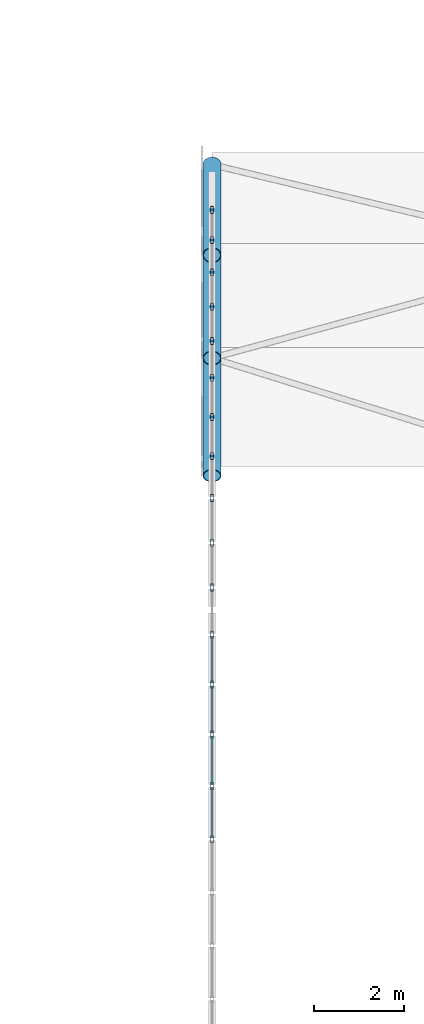
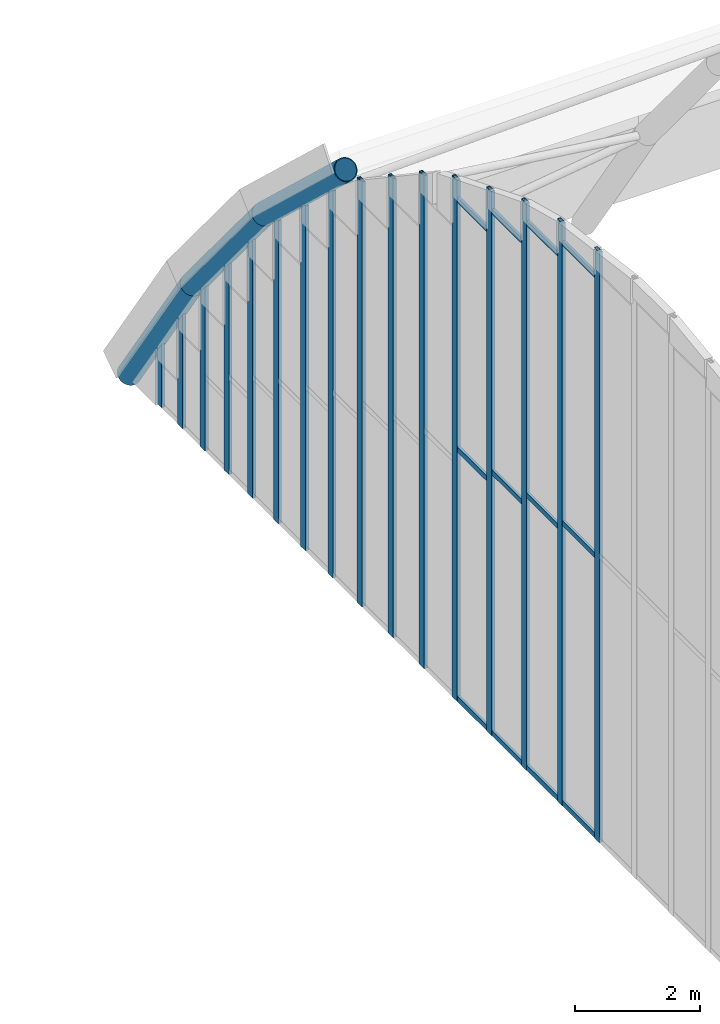
# One storey, part 18 of 77: 31 members, 1 element without a shape of its own.
"""IFC4 building model written with IfcOpenShell, lengths in metres."""

import ifcopenshell
import ifcopenshell.guid

model = None  # the IFC model being written
_history = None  # IfcOwnerHistory: only IFC2X3 demands one
_inside = {}  # id of a spatial element -> (the spatial element, [elements in it])
_under = {}  # id of a project, library or spatial element -> (it, [spatial elements below it])
_declared = {}  # id of a project -> (the project, [libraries it declares])
_typed = {}  # id of a type object -> (the type object, [elements of that type])
_made_of = {}  # id of a material, layer set ... -> (it, [elements and type objects made of it])


def new_model(schema):
    """Start an empty IFC model of exactly this schema.

    Asked for "IFC4X3", IfcOpenShell would pick the latest addendum, in which some entities
    have other attributes; the version numbers below select the first issue.
    IFC2X3 requires an IfcOwnerHistory on every rooted entity: one is made here for all.
    """
    global model, _history
    if schema == "IFC4X3":
        model = ifcopenshell.file(schema_version=(4, 3, 0, 0))
    else:
        model = ifcopenshell.file(schema=schema)
    _inside.clear()
    _under.clear()
    _declared.clear()
    _typed.clear()
    _made_of.clear()
    _history = None
    if model.schema == "IFC2X3":
        org = make("IfcOrganization", Name="unknown")
        user = make(
            "IfcPersonAndOrganization",
            ThePerson=make("IfcPerson", FamilyName="unknown"),
            TheOrganization=org,
        )
        app = make(
            "IfcApplication",
            ApplicationDeveloper=org,
            Version="unknown",
            ApplicationFullName="unknown",
            ApplicationIdentifier="unknown",
        )
        _history = make(
            "IfcOwnerHistory",
            OwningUser=user,
            OwningApplication=app,
            ChangeAction="ADDED",
            CreationDate=0,
        )
    return model


def make(cls, **values):
    """One entity of the class cls with the attributes given. An attribute that is None is left unset."""
    return model.create_entity(
        cls, **{name: value for name, value in values.items() if value is not None}
    )


def rooted(cls, **values):
    """An entity with a GlobalId (a new one), such as an element, a storey or a relation."""
    return make(cls, GlobalId=ifcopenshell.guid.new(), OwnerHistory=_history, **values)


def si_unit(unit_type, name, prefix=None):
    """IfcSIUnit, for example si_unit("LENGTHUNIT", "METRE", prefix="MILLI")."""
    return make("IfcSIUnit", UnitType=unit_type, Prefix=prefix, Name=name)


def assignment(units):
    """IfcUnitAssignment: the units of a project."""
    return None if units is None else make("IfcUnitAssignment", Units=units)


def point(xyz):
    """IfcCartesianPoint."""
    return None if xyz is None else make("IfcCartesianPoint", Coordinates=xyz)


def direction(xyz):
    """IfcDirection."""
    return None if xyz is None else make("IfcDirection", DirectionRatios=xyz)


def frame(location, z_axis=None, x_axis=None):
    """IfcAxis2Placement3D, a coordinate frame: its origin and axes. An axis left out is left unset."""
    return make(
        "IfcAxis2Placement3D",
        Location=point(location),
        Axis=direction(z_axis),
        RefDirection=direction(x_axis),
    )


def frame_2d(location, x_axis=None):
    """IfcAxis2Placement2D, a coordinate frame in the plane: its origin and x axis."""
    return make(
        "IfcAxis2Placement2D", Location=point(location), RefDirection=direction(x_axis)
    )


def origin():
    """The frame at (0, 0, 0) with its axes left unset."""
    return frame((0.0, 0.0, 0.0))


def origin_2d():
    """The frame at (0, 0) in the plane with its x axis left unset."""
    return frame_2d((0.0, 0.0))


def place(relative_to, where):
    """IfcLocalPlacement: puts the frame where relative to a parent placement (None: the world)."""
    return make(
        "IfcLocalPlacement", PlacementRelTo=relative_to, RelativePlacement=where
    )


def context(
    kind, dimensions, precision=None, world=None, true_north=None, identifier=None
):
    """IfcGeometricRepresentationContext, for example the 3D "Model" context."""
    return make(
        "IfcGeometricRepresentationContext",
        ContextIdentifier=identifier,
        ContextType=kind,
        CoordinateSpaceDimension=dimensions,
        Precision=precision,
        WorldCoordinateSystem=world,
        TrueNorth=true_north,
    )


def subcontext(parent, identifier, kind, view, scale=None):
    """IfcGeometricRepresentationSubContext, for example "Body" below "Model"."""
    return make(
        "IfcGeometricRepresentationSubContext",
        ContextIdentifier=identifier,
        ContextType=kind,
        ParentContext=parent,
        TargetScale=scale,
        TargetView=view,
    )


def project(units=None, contexts=None):
    """IfcProject with its units and contexts."""
    return rooted(
        "IfcProject",
        Name="project",
        RepresentationContexts=contexts,
        UnitsInContext=assignment(units),
    )


def spatial(cls, under=None, at=None, **own):
    """A site, building, storey or space (cls), placed at a placement, below another one or the project."""
    s = rooted(cls, ObjectPlacement=at, **own)
    if under is not None:
        _under.setdefault(under.id(), (under, []))[1].append(s)
    return s


def profile(cls, at=None, kind="AREA", **sizes):
    """A parametric profile (cls). Its sizes go by their IFC names, for example OverallWidth=200.0."""
    return make(cls, ProfileType=kind, Position=at, **sizes)


def hollow_rectangle(**sizes):
    """IfcRectangleHollowProfileDef."""
    return profile("IfcRectangleHollowProfileDef", **sizes)


def hollow_circle(**sizes):
    """IfcCircleHollowProfileDef."""
    return profile("IfcCircleHollowProfileDef", **sizes)


def extrude(swept, where, along, depth):
    """IfcExtrudedAreaSolid: the profile swept, set in the frame where, extruded along a direction by depth."""
    return make(
        "IfcExtrudedAreaSolid",
        SweptArea=swept,
        Position=where,
        ExtrudedDirection=direction(along),
        Depth=depth,
    )


def shape(context_of_items, identifier, shape_type, items):
    """IfcShapeRepresentation: the items that make up one representation, for example the "Body"."""
    return make(
        "IfcShapeRepresentation",
        ContextOfItems=context_of_items,
        RepresentationIdentifier=identifier,
        RepresentationType=shape_type,
        Items=items,
    )


def material(Name=None, Category=None):
    """IfcMaterial."""
    return make("IfcMaterial", Name=Name, Category=Category)


def material_profile(
    of_material, cross_section, Name=None, Category=None, Priority=None
):
    """IfcMaterialProfile: a cross section and its material."""
    return make(
        "IfcMaterialProfile",
        Name=Name,
        Material=of_material,
        Profile=cross_section,
        Priority=Priority,
        Category=Category,
    )


def profile_set(profiles, Name=None, composite=None):
    """IfcMaterialProfileSet."""
    return make(
        "IfcMaterialProfileSet",
        Name=Name,
        MaterialProfiles=profiles,
        CompositeProfile=composite,
    )


def made_of(thing, what):
    """Note that an element or type object is made of a material, layer set ...; save() writes the relation."""
    if what is not None:
        _made_of.setdefault(what.id(), (what, []))[1].append(thing)
    return thing


def type_object(cls, material=None, **own):
    """A type object (cls), such as IfcWallType, which elements share."""
    return made_of(rooted(cls, **own), material)


def element(
    cls,
    number,
    at=None,
    inside=None,
    cuts=None,
    type_object=None,
    material=None,
    context=None,
    identifier="Body",
    shape_type=None,
    held_by="IfcProductDefinitionShape",
    body=None,
    shapes=None,
    **own,
):
    """One element of the class cls, such as IfcWall. Its Tag is "e" and its number.

    at: its placement. inside: the storey or other place that contains it. cuts: it is an
    opening in that element (IfcRelVoidsElement). A single representation is given by context,
    identifier, shape_type and body (its items); several are given by shapes. held_by: the class
    of the entity that holds the representations. save() writes the other relations.
    """
    e = rooted(cls, Tag="e%d" % number, ObjectPlacement=at, **own)
    if body is not None:
        shapes = [shape(context, identifier, shape_type, body)]
    if shapes is not None:
        e.Representation = make(held_by, Representations=shapes)
    if inside is not None:
        _inside.setdefault(inside.id(), (inside, []))[1].append(e)
    if cuts is not None:
        rooted(
            "IfcRelVoidsElement", RelatingBuildingElement=cuts, RelatedOpeningElement=e
        )
    if type_object is not None:
        _typed.setdefault(type_object.id(), (type_object, []))[1].append(e)
    return made_of(e, material)


def aggregate(whole, parts):
    """IfcRelAggregates: a whole, such as a stair, and the parts it consists of."""
    return rooted("IfcRelAggregates", RelatingObject=whole, RelatedObjects=parts)


def save(model, path):
    """Write the relations noted so far, then the file.

    IfcRelAggregates (storeys below a building ...), IfcRelContainedInSpatialStructure (elements
    in a storey), IfcRelDefinesByType, IfcRelAssociatesMaterial and IfcRelDeclares: one each for
    every whole, place, type object, material and project.
    """
    for whole, parts in _under.values():
        aggregate(whole, parts)
    for where, things in _inside.values():
        rooted(
            "IfcRelContainedInSpatialStructure",
            RelatedElements=things,
            RelatingStructure=where,
        )
    for kind, things in _typed.values():
        rooted("IfcRelDefinesByType", RelatedObjects=things, RelatingType=kind)
    for what, things in _made_of.values():
        rooted("IfcRelAssociatesMaterial", RelatedObjects=things, RelatingMaterial=what)
    for by, libraries in _declared.values():
        rooted("IfcRelDeclares", RelatingContext=by, RelatedDefinitions=libraries)
    model.write(path)


model = new_model("IFC4")

# Units and contexts
model_context = context("Model", 3, precision=1e-05, world=origin(), true_north=direction((0.0, 1.0)))
body_context = subcontext(model_context, "Body", "Model", "MODEL_VIEW")
ifc_project = project(units=[si_unit("LENGTHUNIT", "METRE"), si_unit("AREAUNIT", "SQUARE_METRE"), si_unit("VOLUMEUNIT", "CUBIC_METRE"), si_unit("PLANEANGLEUNIT", "RADIAN"), si_unit("MASSUNIT", "GRAM", prefix="KILO")], contexts=[model_context])

# Site, building, storey
site_placement = place(None, origin())
site = spatial("IfcSite", under=ifc_project, at=site_placement, CompositionType="ELEMENT")
building_placement = place(site_placement, origin())
building = spatial("IfcBuilding", under=site, at=building_placement, Name="Catenary Quay Ferry Terminal", CompositionType="ELEMENT")
storey_placement = place(building_placement, frame((0.0, 0.0, 10.800048828125)))
storey = spatial("IfcBuildingStorey", under=building, at=storey_placement, Name="L02", CompositionType="ELEMENT", Elevation=10.800048828125)

# Curtain wall, members
ifc_material_1 = material(Name="Aluminium and glass", Category="aluminium")
curtain_wall_type = type_object("IfcCurtainWallType", Name="CWA", PredefinedType="NOTDEFINED", material=ifc_material_1)
curtain_wall_placement = place(storey_placement, origin())
curtain_wall = element("IfcCurtainWall", 1, at=curtain_wall_placement, inside=storey, type_object=curtain_wall_type, Name="Arch departure hall curtain wall CW17", PredefinedType="NOTDEFINED")
ifc_material_2 = material(Name="Aluminium", Category="aluminium")
ifc_material_profile_1 = material_profile(ifc_material_2, hollow_rectangle(XDim=0.06005859375, YDim=0.159912109375, WallThickness=0.006103515625, at=origin_2d()), Name="MU5")
ifc_profile_set_1 = profile_set([ifc_material_profile_1], Name="Aluminium")
member_type_1 = type_object("IfcMemberType", Name="MU5", PredefinedType="MULLION", material=ifc_profile_set_1)
member_1_placement = place(storey_placement, frame((25.199951171875, 127.779541015625, 0.0), z_axis=(0.0, 0.0, 1.0), x_axis=(-1.0, 0.0, 0.0)))
member_1 = element("IfcMember", 2, at=member_1_placement, type_object=member_type_1, Name="CW17 mullion 19", PredefinedType="MULLION", context=body_context, shape_type="SweptSolid", body=[
    extrude(hollow_rectangle(XDim=0.06005859375, YDim=0.159912109375, WallThickness=0.006103515625, at=origin_2d()), origin(), (0.0, 0.0, 1.0), 11.5419921875),
])
member_2_placement = place(storey_placement, frame((25.199951171875, 128.9658203125, 0.0), z_axis=(0.0, 0.0, 1.0), x_axis=(-1.0, 0.0, 0.0)))
member_2 = element("IfcMember", 3, at=member_2_placement, type_object=member_type_1, Name="CW17 mullion 20", PredefinedType="MULLION", context=body_context, shape_type="SweptSolid", body=[
    extrude(hollow_rectangle(XDim=0.06005859375, YDim=0.159912109375, WallThickness=0.006103515625, at=origin_2d()), origin(), (0.0, 0.0, 1.0), 11.38330078125),
])
member_3_placement = place(storey_placement, frame((25.199951171875, 130.1142578125, 0.0), z_axis=(0.0, 0.0, 1.0), x_axis=(-1.0, 0.0, 0.0)))
member_3 = element("IfcMember", 4, at=member_3_placement, type_object=member_type_1, Name="CW17 mullion 21", PredefinedType="MULLION", context=body_context, shape_type="SweptSolid", body=[
    extrude(hollow_rectangle(XDim=0.06005859375, YDim=0.159912109375, WallThickness=0.006103515625, at=origin_2d()), origin(), (0.0, 0.0, 1.0), 11.0810546875),
])
member_4_placement = place(storey_placement, frame((25.199951171875, 131.224609375, 0.0), z_axis=(0.0, 0.0, 1.0), x_axis=(-1.0, 0.0, 0.0)))
member_4 = element("IfcMember", 5, at=member_4_placement, type_object=member_type_1, Name="CW17 mullion 22", PredefinedType="MULLION", context=body_context, shape_type="SweptSolid", body=[
    extrude(hollow_rectangle(XDim=0.06005859375, YDim=0.159912109375, WallThickness=0.006103515625, at=origin_2d()), origin(), (0.0, 0.0, 1.0), 10.635498046875),
])
member_5_placement = place(storey_placement, frame((25.199951171875, 132.334716796875, 0.0), z_axis=(0.0, 0.0, 1.0), x_axis=(-1.0, 0.0, 0.0)))
member_5 = element("IfcMember", 6, at=member_5_placement, type_object=member_type_1, Name="CW17 mullion 23", PredefinedType="MULLION", context=body_context, shape_type="SweptSolid", body=[
    extrude(hollow_rectangle(XDim=0.06005859375, YDim=0.159912109375, WallThickness=0.006103515625, at=origin_2d()), origin(), (0.0, 0.0, 1.0), 10.189697265625),
])
member_6_placement = place(storey_placement, frame((25.199951171875, 133.387451171875, 0.0), z_axis=(0.0, 0.0, 1.0), x_axis=(-1.0, 0.0, 0.0)))
member_6 = element("IfcMember", 7, at=member_6_placement, type_object=member_type_1, Name="CW17 mullion 24", PredefinedType="MULLION", context=body_context, shape_type="SweptSolid", body=[
    extrude(hollow_rectangle(XDim=0.06005859375, YDim=0.159912109375, WallThickness=0.006103515625, at=origin_2d()), origin(), (0.0, 0.0, 1.0), 9.634033203125),
])
member_7_placement = place(storey_placement, frame((25.199951171875, 134.382080078125, 0.0), z_axis=(0.0, 0.0, 1.0), x_axis=(-1.0, 0.0, 0.0)))
member_7 = element("IfcMember", 8, at=member_7_placement, type_object=member_type_1, Name="CW17 mullion 25", PredefinedType="MULLION", context=body_context, shape_type="SweptSolid", body=[
    extrude(hollow_rectangle(XDim=0.06005859375, YDim=0.159912109375, WallThickness=0.006103515625, at=origin_2d()), origin(), (0.0, 0.0, 1.0), 8.968505859375),
])
member_8_placement = place(storey_placement, frame((25.199951171875, 135.376708984375, 0.0), z_axis=(0.0, 0.0, 1.0), x_axis=(-1.0, 0.0, 0.0)))
member_8 = element("IfcMember", 9, at=member_8_placement, type_object=member_type_1, Name="CW17 mullion 26", PredefinedType="MULLION", context=body_context, shape_type="SweptSolid", body=[
    extrude(hollow_rectangle(XDim=0.06005859375, YDim=0.159912109375, WallThickness=0.006103515625, at=origin_2d()), origin(), (0.0, 0.0, 1.0), 8.302734375),
])
member_9_placement = place(storey_placement, frame((25.199951171875, 136.310546875, 0.0), z_axis=(0.0, 0.0, 1.0), x_axis=(-1.0, 0.0, 0.0)))
member_9 = element("IfcMember", 10, at=member_9_placement, type_object=member_type_1, Name="CW17 mullion 27", PredefinedType="MULLION", context=body_context, shape_type="SweptSolid", body=[
    extrude(hollow_rectangle(XDim=0.06005859375, YDim=0.159912109375, WallThickness=0.006103515625, at=origin_2d()), origin(), (0.0, 0.0, 1.0), 7.560791015625),
])
member_10_placement = place(storey_placement, frame((25.199951171875, 137.18359375, 0.0), z_axis=(0.0, 0.0, 1.0), x_axis=(-1.0, 0.0, 0.0)))
member_10 = element("IfcMember", 11, at=member_10_placement, type_object=member_type_1, Name="CW17 mullion 28", PredefinedType="MULLION", context=body_context, shape_type="SweptSolid", body=[
    extrude(hollow_rectangle(XDim=0.06005859375, YDim=0.159912109375, WallThickness=0.006103515625, at=origin_2d()), origin(), (0.0, 0.0, 1.0), 6.742431640625),
])
member_11_placement = place(storey_placement, frame((25.199951171875, 138.056396484375, 0.0), z_axis=(0.0, 0.0, 1.0), x_axis=(-1.0, 0.0, 0.0)))
member_11 = element("IfcMember", 12, at=member_11_placement, type_object=member_type_1, Name="CW17 mullion 29", PredefinedType="MULLION", context=body_context, shape_type="SweptSolid", body=[
    extrude(hollow_rectangle(XDim=0.06005859375, YDim=0.159912109375, WallThickness=0.006103515625, at=origin_2d()), origin(), (0.0, 0.0, 1.0), 5.924072265625),
])
member_12_placement = place(storey_placement, frame((25.199951171875, 138.875, 0.0), z_axis=(0.0, 0.0, 1.0), x_axis=(-1.0, 0.0, 0.0)))
member_12 = element("IfcMember", 13, at=member_12_placement, type_object=member_type_1, Name="CW17 mullion 30", PredefinedType="MULLION", context=body_context, shape_type="SweptSolid", body=[
    extrude(hollow_rectangle(XDim=0.06005859375, YDim=0.159912109375, WallThickness=0.006103515625, at=origin_2d()), origin(), (0.0, 0.0, 1.0), 5.05419921875),
])
member_13_placement = place(storey_placement, frame((25.199951171875, 139.638916015625, 0.0), z_axis=(0.0, 0.0, 1.0), x_axis=(-1.0, 0.0, 0.0)))
member_13 = element("IfcMember", 14, at=member_13_placement, type_object=member_type_1, Name="CW17 mullion 31", PredefinedType="MULLION", context=body_context, shape_type="SweptSolid", body=[
    extrude(hollow_rectangle(XDim=0.06005859375, YDim=0.159912109375, WallThickness=0.006103515625, at=origin_2d()), origin(), (0.0, 0.0, 1.0), 4.133056640625),
])
member_14_placement = place(storey_placement, frame((25.199951171875, 140.403076171875, 0.0), z_axis=(0.0, 0.0, 1.0), x_axis=(-1.0, 0.0, 0.0)))
member_14 = element("IfcMember", 15, at=member_14_placement, type_object=member_type_1, Name="CW17 mullion 32", PredefinedType="MULLION", context=body_context, shape_type="SweptSolid", body=[
    extrude(hollow_rectangle(XDim=0.06005859375, YDim=0.159912109375, WallThickness=0.006103515625, at=origin_2d()), origin(), (0.0, 0.0, 1.0), 3.211669921875),
])
member_15_placement = place(storey_placement, frame((25.199951171875, 141.120849609375, 0.0), z_axis=(0.0, 0.0, 1.0), x_axis=(-1.0, 0.0, 0.0)))
member_15 = element("IfcMember", 16, at=member_15_placement, type_object=member_type_1, Name="CW17 mullion 33", PredefinedType="MULLION", context=body_context, shape_type="SweptSolid", body=[
    extrude(hollow_rectangle(XDim=0.06005859375, YDim=0.159912109375, WallThickness=0.006103515625, at=origin_2d()), origin(), (0.0, 0.0, 1.0), 2.255859375),
])
member_16_placement = place(storey_placement, frame((25.199951171875, 141.79248046875, 0.0), z_axis=(0.0, 0.0, 1.0), x_axis=(-1.0, 0.0, 0.0)))
member_16 = element("IfcMember", 17, at=member_16_placement, type_object=member_type_1, Name="CW17 mullion 34", PredefinedType="MULLION", context=body_context, shape_type="SweptSolid", body=[
    extrude(hollow_rectangle(XDim=0.06005859375, YDim=0.159912109375, WallThickness=0.006103515625, at=origin_2d()), origin(), (0.0, 0.0, 1.0), 1.265380859375),
])
ifc_material_3 = material(Name="Aluminium", Category="aluminium")
ifc_material_profile_2 = material_profile(ifc_material_3, hollow_rectangle(XDim=0.050048828125, YDim=0.10009765625, WallThickness=0.00390625, at=origin_2d()), Name="TR4")
ifc_profile_set_2 = profile_set([ifc_material_profile_2], Name="Aluminium")
member_type_2 = type_object("IfcMemberType", Name="TR4", PredefinedType="USERDEFINED", material=ifc_profile_set_2)
member_17_placement = place(storey_placement, frame((25.199951171875, 127.8095703125, 0.050048828125), z_axis=(0.0, 1.0, 0.0), x_axis=(-1.0, 0.0, 0.0)))
member_17 = element("IfcMember", 18, at=member_17_placement, type_object=member_type_2, Name="CW17 transom 19.1", ObjectType="TRANSOM", PredefinedType="USERDEFINED", context=body_context, shape_type="SweptSolid", body=[
    extrude(hollow_rectangle(XDim=0.050048828125, YDim=0.10009765625, WallThickness=0.00390625, at=origin_2d()), origin(), (0.0, 0.0, 1.0), 1.126220703125),
])
member_18_placement = place(storey_placement, frame((25.199951171875, 127.8095703125, 5.521728515625), z_axis=(0.0, 1.0, 0.0), x_axis=(-1.0, 0.0, 0.0)))
member_18 = element("IfcMember", 19, at=member_18_placement, type_object=member_type_2, Name="CW17 transom 19.2", ObjectType="TRANSOM", PredefinedType="USERDEFINED", context=body_context, shape_type="SweptSolid", body=[
    extrude(hollow_rectangle(XDim=0.050048828125, YDim=0.10009765625, WallThickness=0.00390625, at=origin_2d()), origin(), (0.0, 0.0, 1.0), 1.126220703125),
])
member_19_placement = place(storey_placement, frame((25.199951171875, 127.8095703125, 10.9931640625), z_axis=(0.0, 1.0, 0.0), x_axis=(-1.0, 0.0, 0.0)))
member_19 = element("IfcMember", 20, at=member_19_placement, type_object=member_type_2, Name="CW17 transom 19.3", ObjectType="TRANSOM", PredefinedType="USERDEFINED", context=body_context, shape_type="SweptSolid", body=[
    extrude(hollow_rectangle(XDim=0.050048828125, YDim=0.10009765625, WallThickness=0.00390625, at=origin_2d()), origin(), (0.0, 0.0, 1.0), 1.126220703125),
])
member_20_placement = place(storey_placement, frame((25.199951171875, 128.995849609375, 0.050048828125), z_axis=(0.0, 1.0, 0.0), x_axis=(-1.0, 0.0, 0.0)))
member_20 = element("IfcMember", 21, at=member_20_placement, type_object=member_type_2, Name="CW17 transom 20.1", ObjectType="TRANSOM", PredefinedType="USERDEFINED", context=body_context, shape_type="SweptSolid", body=[
    extrude(hollow_rectangle(XDim=0.050048828125, YDim=0.10009765625, WallThickness=0.00390625, at=origin_2d()), origin(), (0.0, 0.0, 1.0), 1.08837890625),
])
member_21_placement = place(storey_placement, frame((25.199951171875, 128.995849609375, 5.37060546875), z_axis=(0.0, 1.0, 0.0), x_axis=(-1.0, 0.0, 0.0)))
member_21 = element("IfcMember", 22, at=member_21_placement, type_object=member_type_2, Name="CW17 transom 20.2", ObjectType="TRANSOM", PredefinedType="USERDEFINED", context=body_context, shape_type="SweptSolid", body=[
    extrude(hollow_rectangle(XDim=0.050048828125, YDim=0.10009765625, WallThickness=0.00390625, at=origin_2d()), origin(), (0.0, 0.0, 1.0), 1.08837890625),
])
member_22_placement = place(storey_placement, frame((25.199951171875, 128.995849609375, 10.691162109375), z_axis=(0.0, 1.0, 0.0), x_axis=(-1.0, 0.0, 0.0)))
member_22 = element("IfcMember", 23, at=member_22_placement, type_object=member_type_2, Name="CW17 transom 20.3", ObjectType="TRANSOM", PredefinedType="USERDEFINED", context=body_context, shape_type="SweptSolid", body=[
    extrude(hollow_rectangle(XDim=0.050048828125, YDim=0.10009765625, WallThickness=0.00390625, at=origin_2d()), origin(), (0.0, 0.0, 1.0), 1.08837890625),
])
member_23_placement = place(storey_placement, frame((25.199951171875, 130.144287109375, 0.050048828125), z_axis=(0.0, 1.0, 0.0), x_axis=(-1.0, 0.0, 0.0)))
member_23 = element("IfcMember", 24, at=member_23_placement, type_object=member_type_2, Name="CW17 transom 21.1", ObjectType="TRANSOM", PredefinedType="USERDEFINED", context=body_context, shape_type="SweptSolid", body=[
    extrude(hollow_rectangle(XDim=0.050048828125, YDim=0.10009765625, WallThickness=0.00390625, at=origin_2d()), origin(), (0.0, 0.0, 1.0), 1.05029296875),
])
member_24_placement = place(storey_placement, frame((25.199951171875, 130.144287109375, 5.147705078125), z_axis=(0.0, 1.0, 0.0), x_axis=(-1.0, 0.0, 0.0)))
member_24 = element("IfcMember", 25, at=member_24_placement, type_object=member_type_2, Name="CW17 transom 21.2", ObjectType="TRANSOM", PredefinedType="USERDEFINED", context=body_context, shape_type="SweptSolid", body=[
    extrude(hollow_rectangle(XDim=0.050048828125, YDim=0.10009765625, WallThickness=0.00390625, at=origin_2d()), origin(), (0.0, 0.0, 1.0), 1.05029296875),
])
member_25_placement = place(storey_placement, frame((25.199951171875, 130.144287109375, 10.245361328125), z_axis=(0.0, 1.0, 0.0), x_axis=(-1.0, 0.0, 0.0)))
member_25 = element("IfcMember", 26, at=member_25_placement, type_object=member_type_2, Name="CW17 transom 21.3", ObjectType="TRANSOM", PredefinedType="USERDEFINED", context=body_context, shape_type="SweptSolid", body=[
    extrude(hollow_rectangle(XDim=0.050048828125, YDim=0.10009765625, WallThickness=0.00390625, at=origin_2d()), origin(), (0.0, 0.0, 1.0), 1.05029296875),
])
member_26_placement = place(storey_placement, frame((25.199951171875, 131.25439453125, 0.050048828125), z_axis=(0.0, 1.0, 0.0), x_axis=(-1.0, 0.0, 0.0)))
member_26 = element("IfcMember", 27, at=member_26_placement, type_object=member_type_2, Name="CW17 transom 22.1", ObjectType="TRANSOM", PredefinedType="USERDEFINED", context=body_context, shape_type="SweptSolid", body=[
    extrude(hollow_rectangle(XDim=0.050048828125, YDim=0.10009765625, WallThickness=0.00390625, at=origin_2d()), origin(), (0.0, 0.0, 1.0), 1.050537109375),
])
member_27_placement = place(storey_placement, frame((25.199951171875, 131.25439453125, 4.9248046875), z_axis=(0.0, 1.0, 0.0), x_axis=(-1.0, 0.0, 0.0)))
member_27 = element("IfcMember", 28, at=member_27_placement, type_object=member_type_2, Name="CW17 transom 22.2", ObjectType="TRANSOM", PredefinedType="USERDEFINED", context=body_context, shape_type="SweptSolid", body=[
    extrude(hollow_rectangle(XDim=0.050048828125, YDim=0.10009765625, WallThickness=0.00390625, at=origin_2d()), origin(), (0.0, 0.0, 1.0), 1.050537109375),
])
member_28_placement = place(storey_placement, frame((25.199951171875, 131.25439453125, 9.7998046875), z_axis=(0.0, 1.0, 0.0), x_axis=(-1.0, 0.0, 0.0)))
member_28 = element("IfcMember", 29, at=member_28_placement, type_object=member_type_2, Name="CW17 transom 22.3", ObjectType="TRANSOM", PredefinedType="USERDEFINED", context=body_context, shape_type="SweptSolid", body=[
    extrude(hollow_rectangle(XDim=0.050048828125, YDim=0.10009765625, WallThickness=0.00390625, at=origin_2d()), origin(), (0.0, 0.0, 1.0), 1.050537109375),
])
aggregate(curtain_wall, [member_1, member_2, member_3, member_4, member_5, member_6, member_7, member_8, member_9, member_10, member_11, member_12, member_13, member_14, member_15, member_16, member_17, member_18, member_19, member_20, member_21, member_22, member_23, member_24, member_25, member_26, member_27, member_28])

# Members
ifc_material_4 = material(Name="Steel S355", Category="steel")
ifc_material_profile_3 = material_profile(ifc_material_4, hollow_circle(Radius=0.203125, WallThickness=0.01611328125, at=origin_2d()), Name="CHS 406.4x16")
ifc_profile_set_3 = profile_set([ifc_material_profile_3], Name="Steel S355")
member_type_3 = type_object("IfcMemberType", Name="VR3 CHS 406.4x16", PredefinedType="RAFTER", material=ifc_profile_set_3)
member_29_placement = place(storey_placement, frame((25.199951171875, 135.8740234375, 8.18994140625), z_axis=(0.0, 0.729556292242, -0.683920767669), x_axis=(-1.0, 0.0, 0.0)))
element("IfcMember", 30, at=member_29_placement, inside=storey, type_object=member_type_3, Name="Vault rib VD-01-10", PredefinedType="RAFTER", context=body_context, shape_type="SweptSolid", body=[
    extrude(hollow_circle(Radius=0.203125, WallThickness=0.01611328125, at=origin_2d()), origin(), (0.0, 0.0, 1.0), 3.589599609375),
])
member_30_placement = place(storey_placement, frame((25.199951171875, 138.492919921875, 5.73486328125), z_axis=(0.0, 0.638329973705, -0.769762849629), x_axis=(-1.0, 0.0, 0.0)))
element("IfcMember", 31, at=member_30_placement, inside=storey, type_object=member_type_3, Name="Vault rib VD-01-11", PredefinedType="RAFTER", context=body_context, shape_type="SweptSolid", body=[
    extrude(hollow_circle(Radius=0.203125, WallThickness=0.01611328125, at=origin_2d()), origin(), (0.0, 0.0, 1.0), 3.590576171875),
])
member_31_placement = place(storey_placement, frame((25.199951171875, 140.784912109375, 2.970947265625), z_axis=(0.0, 0.561336762899, -0.827587480945), x_axis=(-1.0, 0.0, 0.0)))
element("IfcMember", 32, at=member_31_placement, inside=storey, type_object=member_type_3, Name="Vault rib VD-01-12", PredefinedType="RAFTER", context=body_context, shape_type="SweptSolid", body=[
    extrude(hollow_circle(Radius=0.203125, WallThickness=0.01611328125, at=origin_2d()), origin(), (0.0, 0.0, 1.0), 3.58984375),
])

save(model, "model.ifc")
